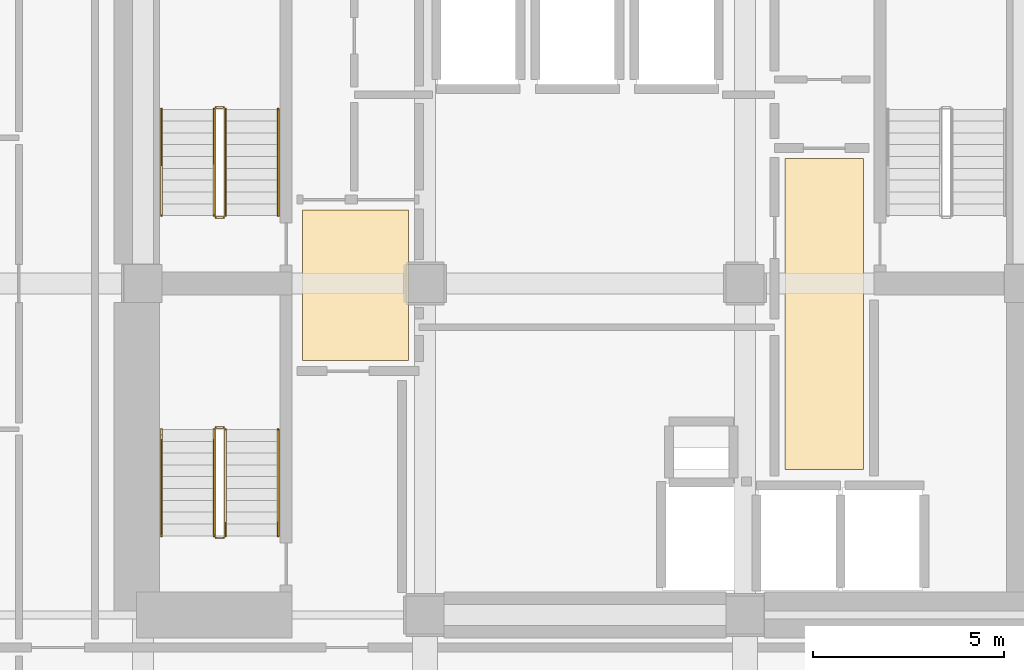
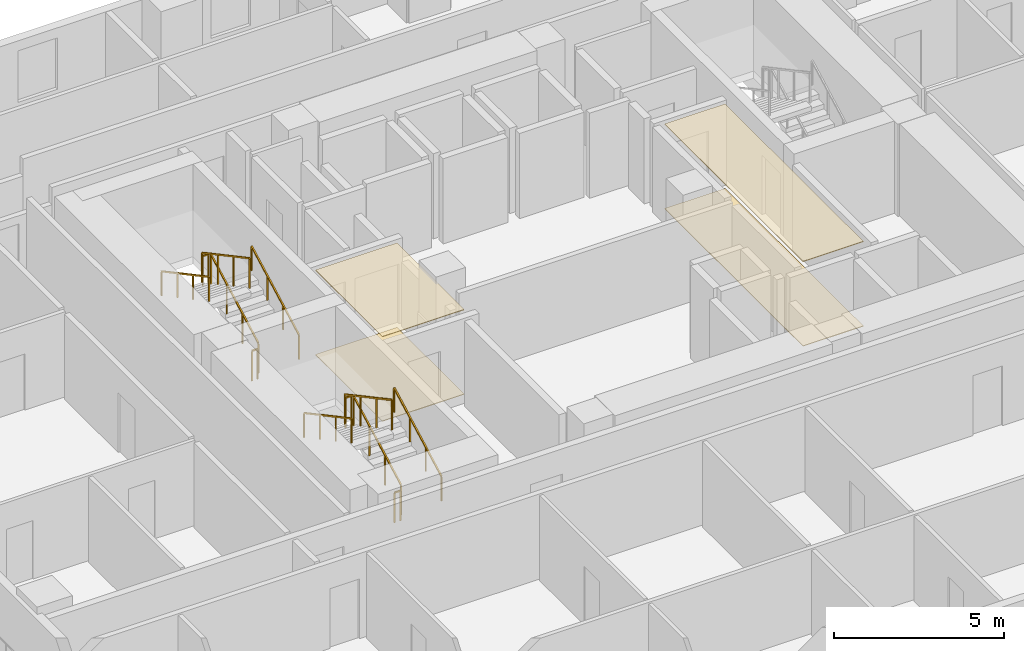
# One storey, part 9 of 11: 12 railings, 4 coverings.
"""IFC4 building model written with IfcOpenShell, lengths in metres."""

from ifc_helpers import new_model, si_unit, direction, frame, origin, origin_2d, place, context, subcontext, project, spatial, polyline, rectangle, outline, extrude, material, layer, layer_set, type_object, element, save


model = new_model("IFC4")

# Units and contexts
model_context = context("Model", 3, precision=1e-05, world=origin(), true_north=direction((0.0, 1.0)))
body_context = subcontext(model_context, "Body", "Model", "MODEL_VIEW")
ifc_project = project(units=[si_unit("LENGTHUNIT", "METRE"), si_unit("AREAUNIT", "SQUARE_METRE"), si_unit("VOLUMEUNIT", "CUBIC_METRE"), si_unit("PLANEANGLEUNIT", "RADIAN"), si_unit("MASSUNIT", "GRAM", prefix="KILO")], contexts=[model_context])

# Site, building, storey
site_placement = place(None, origin())
site = spatial("IfcSite", under=ifc_project, at=site_placement, CompositionType="ELEMENT")
building_placement = place(site_placement, origin())
building = spatial("IfcBuilding", under=site, at=building_placement, Name="Solanera Arch Residences", CompositionType="ELEMENT")
storey_placement = place(building_placement, frame((0.0, 0.0, 31.9599609375)))
storey = spatial("IfcBuildingStorey", under=building, at=storey_placement, Name="L08", CompositionType="ELEMENT", Elevation=31.9599609375)

# Coverings
ifc_material_1 = material(Name="Porcelain Acoustic Floor Tile", Category="ceramic")
ifc_layer_1 = layer(ifc_material_1, 0.02001953125)
ifc_layer_set_1 = layer_set([ifc_layer_1], Name="Porcelain Acoustic Floor Tile")
covering_type_1 = type_object("IfcCoveringType", Name="Porcelain Acoustic Floor Finish FLR-20", PredefinedType="FLOORING", material=ifc_layer_set_1)
covering_1_placement = place(storey_placement, origin())
element("IfcCovering", 1, at=covering_1_placement, inside=storey, type_object=covering_type_1, Name="L08-FFL-W Porcelain Floor Finish", PredefinedType="FLOORING", context=body_context, shape_type="SweptSolid", body=[
    extrude(outline(polyline([(20.375, 28.675048828125), (17.594970703125, 28.675048828125), (17.594970703125, 32.625), (20.375, 32.625), (20.375, 28.675048828125)])), origin(), (0.0, 0.0, 1.0), 0.02001953125),
])
covering_2_placement = place(storey_placement, origin())
element("IfcCovering", 2, at=covering_2_placement, inside=storey, type_object=covering_type_1, Name="L08-FFL-E Porcelain Floor Finish", PredefinedType="FLOORING", context=body_context, shape_type="SweptSolid", body=[
    extrude(outline(polyline([(32.304931640625, 25.824951171875), (30.25, 25.824951171875), (30.25, 33.97509765625), (32.304931640625, 33.97509765625), (32.304931640625, 25.824951171875)])), origin(), (0.0, 0.0, 1.0), 0.02001953125),
])

# Railings
ifc_material_2 = material(Name="Steel S355 (ASTM A992 / A572 Grade 50)", Category="steel")
railing_type_1 = type_object("IfcRailingType", Name="Stair Guardrail GR-1100", PredefinedType="GUARDRAIL", material=ifc_material_2)
railing_1_placement = place(storey_placement, frame((15.570068359375, 32.47998046875, 0.151123046875)))
element("IfcRailing", 3, at=railing_1_placement, inside=storey, type_object=railing_type_1, Name="L08 ST-T1 stair guard 1", PredefinedType="GUARDRAIL", context=body_context, shape_type="SweptSolid", body=[
    extrude(rectangle(XDim=0.048095703125, YDim=0.048095703125, at=origin_2d()), frame((0.0, 0.0, 1.076171875), z_axis=(0.0, 0.881580869306, 0.472033018838), x_axis=(-1.0, 0.0, 0.0)), (0.0, 0.0, 1.0), 3.164794921875),
    extrude(rectangle(XDim=0.0419921875, YDim=0.0419921875, at=origin_2d()), origin(), (0.0, 0.0, 1.0), 1.052001953125),
    extrude(rectangle(XDim=0.0419921875, YDim=0.0419921875, at=origin_2d()), frame((0.0, 0.929931640625, 0.498046875)), (0.0, 0.0, 1.0), 1.052001953125),
    extrude(rectangle(XDim=0.0419921875, YDim=0.0419921875, at=origin_2d()), frame((0.0, 1.860107421875, 0.995849609375)), (0.0, 0.0, 1.0), 1.052001953125),
    extrude(rectangle(XDim=0.0419921875, YDim=0.0419921875, at=origin_2d()), frame((0.0, 2.7900390625, 1.493896484375)), (0.0, 0.0, 1.0), 1.052001953125),
])
railing_2_placement = place(storey_placement, frame((15.52001953125, 35.320068359375, 1.64501953125)))
element("IfcRailing", 4, at=railing_2_placement, inside=storey, type_object=railing_type_1, Name="L08 ST-T1 stair guard 2", PredefinedType="GUARDRAIL", context=body_context, shape_type="SweptSolid", body=[
    extrude(rectangle(XDim=0.048095703125, YDim=0.048095703125, at=origin_2d()), frame((0.0, 0.0, 1.076171875), z_axis=(-1.0, 0.0, 0.0), x_axis=(0.0, -1.0, 0.0)), (0.0, 0.0, 1.0), 0.199951171875),
    extrude(rectangle(XDim=0.0419921875, YDim=0.0419921875, at=origin_2d()), origin(), (0.0, 0.0, 1.0), 1.052001953125),
    extrude(rectangle(XDim=0.0419921875, YDim=0.0419921875, at=origin_2d()), frame((-0.199951171875, 0.0, 0.0)), (0.0, 0.0, 1.0), 1.052001953125),
])
railing_3_placement = place(storey_placement, frame((15.27001953125, 35.27001953125, 1.81103515625)))
element("IfcRailing", 5, at=railing_3_placement, inside=storey, type_object=railing_type_1, Name="L08 ST-T1 stair guard 3", PredefinedType="GUARDRAIL", context=body_context, shape_type="SweptSolid", body=[
    extrude(rectangle(XDim=0.048095703125, YDim=0.048095703125, at=origin_2d()), frame((0.0, 0.0, 1.076171875), z_axis=(0.0, -0.881580869306, 0.472033018838), x_axis=(1.0, 0.0, 0.0)), (0.0, 0.0, 1.0), 3.164794921875),
    extrude(rectangle(XDim=0.0419921875, YDim=0.0419921875, at=origin_2d()), origin(), (0.0, 0.0, 1.0), 1.052001953125),
    extrude(rectangle(XDim=0.0419921875, YDim=0.0419921875, at=origin_2d()), frame((0.0, -0.929931640625, 0.498046875)), (0.0, 0.0, 1.0), 1.052001953125),
    extrude(rectangle(XDim=0.0419921875, YDim=0.0419921875, at=origin_2d()), frame((0.0, -1.860107421875, 0.995849609375)), (0.0, 0.0, 1.0), 1.052001953125),
    extrude(rectangle(XDim=0.0419921875, YDim=0.0419921875, at=origin_2d()), frame((0.0, -2.7900390625, 1.493896484375)), (0.0, 0.0, 1.0), 1.052001953125),
])
railing_4_placement = place(storey_placement, frame((15.52001953125, 32.429931640625, -0.014892578125)))
element("IfcRailing", 6, at=railing_4_placement, inside=storey, type_object=railing_type_1, Name="L08 ST-T1 stair guard 4", PredefinedType="GUARDRAIL", context=body_context, shape_type="SweptSolid", body=[
    extrude(rectangle(XDim=0.048095703125, YDim=0.048095703125, at=origin_2d()), frame((0.0, 0.0, 1.076171875), z_axis=(-1.0, 0.0, 0.0), x_axis=(0.0, -1.0, 0.0)), (0.0, 0.0, 1.0), 0.199951171875),
    extrude(rectangle(XDim=0.0419921875, YDim=0.0419921875, at=origin_2d()), origin(), (0.0, 0.0, 1.0), 1.052001953125),
    extrude(rectangle(XDim=0.0419921875, YDim=0.0419921875, at=origin_2d()), frame((-0.199951171875, 0.0, 0.0)), (0.0, 0.0, 1.0), 1.052001953125),
])
railing_5_placement = place(storey_placement, frame((15.570068359375, 24.080078125, 0.151123046875)))
element("IfcRailing", 7, at=railing_5_placement, inside=storey, type_object=railing_type_1, Name="L08 ST-T3 stair guard 1", PredefinedType="GUARDRAIL", context=body_context, shape_type="SweptSolid", body=[
    extrude(rectangle(XDim=0.048095703125, YDim=0.048095703125, at=origin_2d()), frame((0.0, 0.0, 1.076171875), z_axis=(0.0, 0.881580869306, 0.472033018838), x_axis=(-1.0, 0.0, 0.0)), (0.0, 0.0, 1.0), 3.164794921875),
    extrude(rectangle(XDim=0.0419921875, YDim=0.0419921875, at=origin_2d()), origin(), (0.0, 0.0, 1.0), 1.052001953125),
    extrude(rectangle(XDim=0.0419921875, YDim=0.0419921875, at=origin_2d()), frame((0.0, 0.929931640625, 0.498046875)), (0.0, 0.0, 1.0), 1.052001953125),
    extrude(rectangle(XDim=0.0419921875, YDim=0.0419921875, at=origin_2d()), frame((0.0, 1.860107421875, 0.995849609375)), (0.0, 0.0, 1.0), 1.052001953125),
    extrude(rectangle(XDim=0.0419921875, YDim=0.0419921875, at=origin_2d()), frame((0.0, 2.7900390625, 1.493896484375)), (0.0, 0.0, 1.0), 1.052001953125),
])
railing_6_placement = place(storey_placement, frame((15.52001953125, 26.919921875, 1.64501953125)))
element("IfcRailing", 8, at=railing_6_placement, inside=storey, type_object=railing_type_1, Name="L08 ST-T3 stair guard 2", PredefinedType="GUARDRAIL", context=body_context, shape_type="SweptSolid", body=[
    extrude(rectangle(XDim=0.048095703125, YDim=0.048095703125, at=origin_2d()), frame((0.0, 0.0, 1.076171875), z_axis=(-1.0, 0.0, 0.0), x_axis=(0.0, -1.0, 0.0)), (0.0, 0.0, 1.0), 0.199951171875),
    extrude(rectangle(XDim=0.0419921875, YDim=0.0419921875, at=origin_2d()), origin(), (0.0, 0.0, 1.0), 1.052001953125),
    extrude(rectangle(XDim=0.0419921875, YDim=0.0419921875, at=origin_2d()), frame((-0.199951171875, 0.0, 0.0)), (0.0, 0.0, 1.0), 1.052001953125),
])
railing_7_placement = place(storey_placement, frame((15.27001953125, 26.8701171875, 1.81103515625)))
element("IfcRailing", 9, at=railing_7_placement, inside=storey, type_object=railing_type_1, Name="L08 ST-T3 stair guard 3", PredefinedType="GUARDRAIL", context=body_context, shape_type="SweptSolid", body=[
    extrude(rectangle(XDim=0.048095703125, YDim=0.048095703125, at=origin_2d()), frame((0.0, 0.0, 1.076171875), z_axis=(0.0, -0.881580869306, 0.472033018838), x_axis=(1.0, 0.0, 0.0)), (0.0, 0.0, 1.0), 3.164794921875),
    extrude(rectangle(XDim=0.0419921875, YDim=0.0419921875, at=origin_2d()), origin(), (0.0, 0.0, 1.0), 1.052001953125),
    extrude(rectangle(XDim=0.0419921875, YDim=0.0419921875, at=origin_2d()), frame((0.0, -0.929931640625, 0.498046875)), (0.0, 0.0, 1.0), 1.052001953125),
    extrude(rectangle(XDim=0.0419921875, YDim=0.0419921875, at=origin_2d()), frame((0.0, -1.860107421875, 0.995849609375)), (0.0, 0.0, 1.0), 1.052001953125),
    extrude(rectangle(XDim=0.0419921875, YDim=0.0419921875, at=origin_2d()), frame((0.0, -2.7900390625, 1.493896484375)), (0.0, 0.0, 1.0), 1.052001953125),
])
railing_8_placement = place(storey_placement, frame((15.52001953125, 24.030029296875, -0.014892578125)))
element("IfcRailing", 10, at=railing_8_placement, inside=storey, type_object=railing_type_1, Name="L08 ST-T3 stair guard 4", PredefinedType="GUARDRAIL", context=body_context, shape_type="SweptSolid", body=[
    extrude(rectangle(XDim=0.048095703125, YDim=0.048095703125, at=origin_2d()), frame((0.0, 0.0, 1.076171875), z_axis=(-1.0, 0.0, 0.0), x_axis=(0.0, -1.0, 0.0)), (0.0, 0.0, 1.0), 0.199951171875),
    extrude(rectangle(XDim=0.0419921875, YDim=0.0419921875, at=origin_2d()), origin(), (0.0, 0.0, 1.0), 1.052001953125),
    extrude(rectangle(XDim=0.0419921875, YDim=0.0419921875, at=origin_2d()), frame((-0.199951171875, 0.0, 0.0)), (0.0, 0.0, 1.0), 1.052001953125),
])
ifc_material_3 = material(Name="Steel S355 (ASTM A992 / A572 Grade 50)", Category="steel")
railing_type_2 = type_object("IfcRailingType", Name="Stair Wall Handrail HR-920", PredefinedType="HANDRAIL", material=ifc_material_3)
railing_9_placement = place(storey_placement, frame((16.949951171875, 32.47998046875, 0.166015625)))
element("IfcRailing", 11, at=railing_9_placement, inside=storey, type_object=railing_type_2, Name="L08 ST-T1 stair handrail 1", PredefinedType="HANDRAIL", context=body_context, shape_type="SweptSolid", body=[
    extrude(rectangle(XDim=0.048095703125, YDim=0.048095703125, at=origin_2d()), frame((0.0, 0.0, 0.8759765625), z_axis=(0.0, 0.881548766853, 0.472092969298), x_axis=(-1.0, 0.0, 0.0)), (0.0, 0.0, 1.0), 3.1650390625),
    extrude(rectangle(XDim=0.0419921875, YDim=0.0419921875, at=origin_2d()), origin(), (0.0, 0.0, 1.0), 0.851806640625),
    extrude(rectangle(XDim=0.0419921875, YDim=0.0419921875, at=origin_2d()), frame((0.0, 0.929931640625, 0.498046875)), (0.0, 0.0, 1.0), 0.851806640625),
    extrude(rectangle(XDim=0.0419921875, YDim=0.0419921875, at=origin_2d()), frame((0.0, 1.860107421875, 0.99609375)), (0.0, 0.0, 1.0), 0.851806640625),
    extrude(rectangle(XDim=0.0419921875, YDim=0.0419921875, at=origin_2d()), frame((0.0, 2.7900390625, 1.494140625)), (0.0, 0.0, 1.0), 0.851806640625),
])
railing_10_placement = place(storey_placement, frame((13.889892578125, 35.27001953125, 1.825927734375)))
element("IfcRailing", 12, at=railing_10_placement, inside=storey, type_object=railing_type_2, Name="L08 ST-T1 stair handrail 2", PredefinedType="HANDRAIL", context=body_context, shape_type="SweptSolid", body=[
    extrude(rectangle(XDim=0.048095703125, YDim=0.048095703125, at=origin_2d()), frame((0.0, 0.0, 0.8759765625), z_axis=(0.0, -0.881548766853, 0.472092969298), x_axis=(1.0, 0.0, 0.0)), (0.0, 0.0, 1.0), 3.1650390625),
    extrude(rectangle(XDim=0.0419921875, YDim=0.0419921875, at=origin_2d()), origin(), (0.0, 0.0, 1.0), 0.851806640625),
    extrude(rectangle(XDim=0.0419921875, YDim=0.0419921875, at=origin_2d()), frame((0.0, -0.929931640625, 0.498046875)), (0.0, 0.0, 1.0), 0.851806640625),
    extrude(rectangle(XDim=0.0419921875, YDim=0.0419921875, at=origin_2d()), frame((0.0, -1.860107421875, 0.99609375)), (0.0, 0.0, 1.0), 0.851806640625),
    extrude(rectangle(XDim=0.0419921875, YDim=0.0419921875, at=origin_2d()), frame((0.0, -2.7900390625, 1.494140625)), (0.0, 0.0, 1.0), 0.851806640625),
])
railing_11_placement = place(storey_placement, frame((16.949951171875, 24.080078125, 0.166015625)))
element("IfcRailing", 13, at=railing_11_placement, inside=storey, type_object=railing_type_2, Name="L08 ST-T3 stair handrail 1", PredefinedType="HANDRAIL", context=body_context, shape_type="SweptSolid", body=[
    extrude(rectangle(XDim=0.048095703125, YDim=0.048095703125, at=origin_2d()), frame((0.0, 0.0, 0.8759765625), z_axis=(0.0, 0.881548766853, 0.472092969298), x_axis=(-1.0, 0.0, 0.0)), (0.0, 0.0, 1.0), 3.1650390625),
    extrude(rectangle(XDim=0.0419921875, YDim=0.0419921875, at=origin_2d()), origin(), (0.0, 0.0, 1.0), 0.851806640625),
    extrude(rectangle(XDim=0.0419921875, YDim=0.0419921875, at=origin_2d()), frame((0.0, 0.929931640625, 0.498046875)), (0.0, 0.0, 1.0), 0.851806640625),
    extrude(rectangle(XDim=0.0419921875, YDim=0.0419921875, at=origin_2d()), frame((0.0, 1.860107421875, 0.99609375)), (0.0, 0.0, 1.0), 0.851806640625),
    extrude(rectangle(XDim=0.0419921875, YDim=0.0419921875, at=origin_2d()), frame((0.0, 2.7900390625, 1.494140625)), (0.0, 0.0, 1.0), 0.851806640625),
])
railing_12_placement = place(storey_placement, frame((13.889892578125, 26.8701171875, 1.825927734375)))
element("IfcRailing", 14, at=railing_12_placement, inside=storey, type_object=railing_type_2, Name="L08 ST-T3 stair handrail 2", PredefinedType="HANDRAIL", context=body_context, shape_type="SweptSolid", body=[
    extrude(rectangle(XDim=0.048095703125, YDim=0.048095703125, at=origin_2d()), frame((0.0, 0.0, 0.8759765625), z_axis=(0.0, -0.881548766853, 0.472092969298), x_axis=(1.0, 0.0, 0.0)), (0.0, 0.0, 1.0), 3.1650390625),
    extrude(rectangle(XDim=0.0419921875, YDim=0.0419921875, at=origin_2d()), origin(), (0.0, 0.0, 1.0), 0.851806640625),
    extrude(rectangle(XDim=0.0419921875, YDim=0.0419921875, at=origin_2d()), frame((0.0, -0.929931640625, 0.498046875)), (0.0, 0.0, 1.0), 0.851806640625),
    extrude(rectangle(XDim=0.0419921875, YDim=0.0419921875, at=origin_2d()), frame((0.0, -1.860107421875, 0.99609375)), (0.0, 0.0, 1.0), 0.851806640625),
    extrude(rectangle(XDim=0.0419921875, YDim=0.0419921875, at=origin_2d()), frame((0.0, -2.7900390625, 1.494140625)), (0.0, 0.0, 1.0), 0.851806640625),
])

# Coverings
ifc_material_4 = material(Name="Mineral Fibre Acoustic Ceiling Board", Category="gypsum")
ifc_layer_2 = layer(ifc_material_4, 0.02490234375)
ifc_layer_set_2 = layer_set([ifc_layer_2], Name="Mineral Fibre Acoustic Ceiling Board")
covering_type_2 = type_object("IfcCoveringType", Name="Suspended Acoustic Ceiling Board CLG-25", PredefinedType="CEILING", material=ifc_layer_set_2)
covering_3_placement = place(storey_placement, frame((0.0, 0.0, 3.03515625)))
element("IfcCovering", 15, at=covering_3_placement, inside=storey, type_object=covering_type_2, Name="L08-FFL-W Acoustic Ceiling", PredefinedType="CEILING", context=body_context, shape_type="SweptSolid", body=[
    extrude(outline(polyline([(20.375, 28.675048828125), (17.594970703125, 28.675048828125), (17.594970703125, 32.625), (20.375, 32.625), (20.375, 28.675048828125)])), origin(), (0.0, 0.0, 1.0), 0.02490234375),
])
covering_4_placement = place(storey_placement, frame((0.0, 0.0, 3.03515625)))
element("IfcCovering", 16, at=covering_4_placement, inside=storey, type_object=covering_type_2, Name="L08-FFL-E Acoustic Ceiling", PredefinedType="CEILING", context=body_context, shape_type="SweptSolid", body=[
    extrude(outline(polyline([(32.304931640625, 25.824951171875), (30.25, 25.824951171875), (30.25, 33.97509765625), (32.304931640625, 33.97509765625), (32.304931640625, 25.824951171875)])), origin(), (0.0, 0.0, 1.0), 0.02490234375),
])

save(model, "model.ifc")
